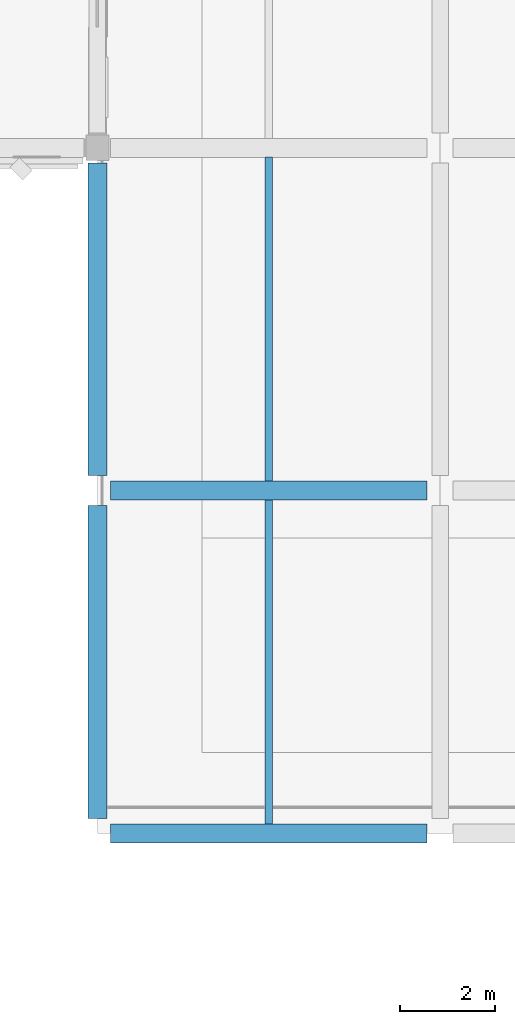
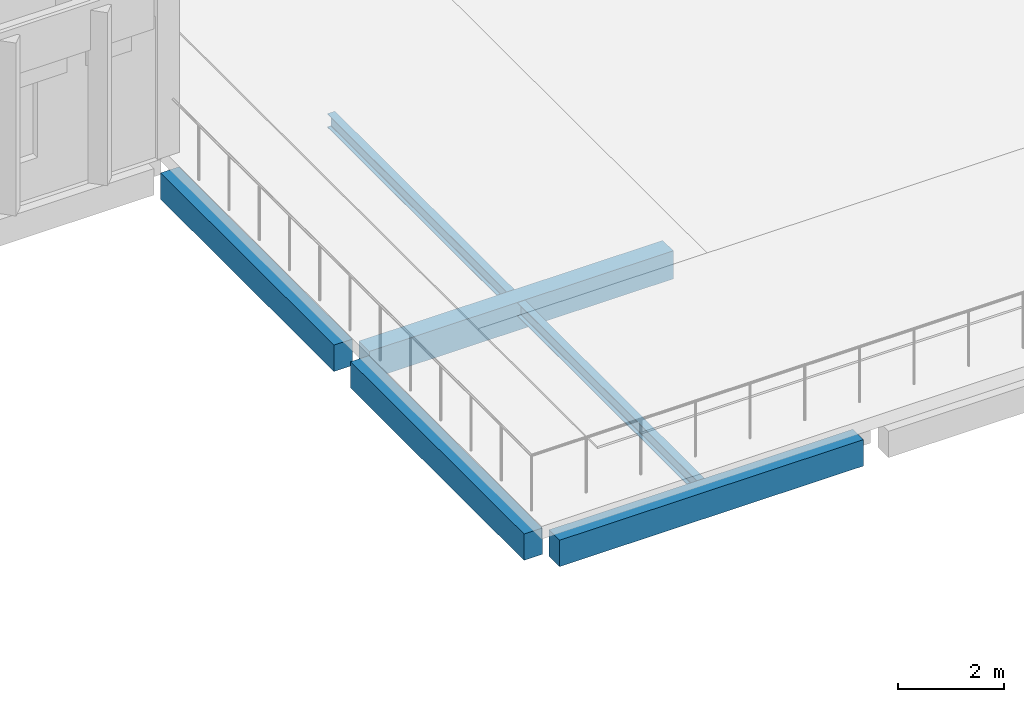
# One storey, part 31 of 72: 6 beams.
"""IFC4 building model written with IfcOpenShell, lengths in metres."""

import ifcopenshell
import ifcopenshell.guid

model = None  # the IFC model being written
_history = None  # IfcOwnerHistory: only IFC2X3 demands one
_inside = {}  # id of a spatial element -> (the spatial element, [elements in it])
_under = {}  # id of a project, library or spatial element -> (it, [spatial elements below it])
_declared = {}  # id of a project -> (the project, [libraries it declares])
_typed = {}  # id of a type object -> (the type object, [elements of that type])
_made_of = {}  # id of a material, layer set ... -> (it, [elements and type objects made of it])


def new_model(schema):
    """Start an empty IFC model of exactly this schema.

    Asked for "IFC4X3", IfcOpenShell would pick the latest addendum, in which some entities
    have other attributes; the version numbers below select the first issue.
    IFC2X3 requires an IfcOwnerHistory on every rooted entity: one is made here for all.
    """
    global model, _history
    if schema == "IFC4X3":
        model = ifcopenshell.file(schema_version=(4, 3, 0, 0))
    else:
        model = ifcopenshell.file(schema=schema)
    _inside.clear()
    _under.clear()
    _declared.clear()
    _typed.clear()
    _made_of.clear()
    _history = None
    if model.schema == "IFC2X3":
        org = make("IfcOrganization", Name="unknown")
        user = make(
            "IfcPersonAndOrganization",
            ThePerson=make("IfcPerson", FamilyName="unknown"),
            TheOrganization=org,
        )
        app = make(
            "IfcApplication",
            ApplicationDeveloper=org,
            Version="unknown",
            ApplicationFullName="unknown",
            ApplicationIdentifier="unknown",
        )
        _history = make(
            "IfcOwnerHistory",
            OwningUser=user,
            OwningApplication=app,
            ChangeAction="ADDED",
            CreationDate=0,
        )
    return model


def make(cls, **values):
    """One entity of the class cls with the attributes given. An attribute that is None is left unset."""
    return model.create_entity(
        cls, **{name: value for name, value in values.items() if value is not None}
    )


def rooted(cls, **values):
    """An entity with a GlobalId (a new one), such as an element, a storey or a relation."""
    return make(cls, GlobalId=ifcopenshell.guid.new(), OwnerHistory=_history, **values)


def si_unit(unit_type, name, prefix=None):
    """IfcSIUnit, for example si_unit("LENGTHUNIT", "METRE", prefix="MILLI")."""
    return make("IfcSIUnit", UnitType=unit_type, Prefix=prefix, Name=name)


def assignment(units):
    """IfcUnitAssignment: the units of a project."""
    return None if units is None else make("IfcUnitAssignment", Units=units)


def point(xyz):
    """IfcCartesianPoint."""
    return None if xyz is None else make("IfcCartesianPoint", Coordinates=xyz)


def direction(xyz):
    """IfcDirection."""
    return None if xyz is None else make("IfcDirection", DirectionRatios=xyz)


def frame(location, z_axis=None, x_axis=None):
    """IfcAxis2Placement3D, a coordinate frame: its origin and axes. An axis left out is left unset."""
    return make(
        "IfcAxis2Placement3D",
        Location=point(location),
        Axis=direction(z_axis),
        RefDirection=direction(x_axis),
    )


def frame_2d(location, x_axis=None):
    """IfcAxis2Placement2D, a coordinate frame in the plane: its origin and x axis."""
    return make(
        "IfcAxis2Placement2D", Location=point(location), RefDirection=direction(x_axis)
    )


def origin():
    """The frame at (0, 0, 0) with its axes left unset."""
    return frame((0.0, 0.0, 0.0))


def origin_2d():
    """The frame at (0, 0) in the plane with its x axis left unset."""
    return frame_2d((0.0, 0.0))


def place(relative_to, where):
    """IfcLocalPlacement: puts the frame where relative to a parent placement (None: the world)."""
    return make(
        "IfcLocalPlacement", PlacementRelTo=relative_to, RelativePlacement=where
    )


def context(
    kind, dimensions, precision=None, world=None, true_north=None, identifier=None
):
    """IfcGeometricRepresentationContext, for example the 3D "Model" context."""
    return make(
        "IfcGeometricRepresentationContext",
        ContextIdentifier=identifier,
        ContextType=kind,
        CoordinateSpaceDimension=dimensions,
        Precision=precision,
        WorldCoordinateSystem=world,
        TrueNorth=true_north,
    )


def subcontext(parent, identifier, kind, view, scale=None):
    """IfcGeometricRepresentationSubContext, for example "Body" below "Model"."""
    return make(
        "IfcGeometricRepresentationSubContext",
        ContextIdentifier=identifier,
        ContextType=kind,
        ParentContext=parent,
        TargetScale=scale,
        TargetView=view,
    )


def project(units=None, contexts=None):
    """IfcProject with its units and contexts."""
    return rooted(
        "IfcProject",
        Name="project",
        RepresentationContexts=contexts,
        UnitsInContext=assignment(units),
    )


def spatial(cls, under=None, at=None, **own):
    """A site, building, storey or space (cls), placed at a placement, below another one or the project."""
    s = rooted(cls, ObjectPlacement=at, **own)
    if under is not None:
        _under.setdefault(under.id(), (under, []))[1].append(s)
    return s


def profile(cls, at=None, kind="AREA", **sizes):
    """A parametric profile (cls). Its sizes go by their IFC names, for example OverallWidth=200.0."""
    return make(cls, ProfileType=kind, Position=at, **sizes)


def rectangle(**sizes):
    """IfcRectangleProfileDef."""
    return profile("IfcRectangleProfileDef", **sizes)


def i_section(**sizes):
    """IfcIShapeProfileDef."""
    return profile("IfcIShapeProfileDef", **sizes)


def extrude(swept, where, along, depth):
    """IfcExtrudedAreaSolid: the profile swept, set in the frame where, extruded along a direction by depth."""
    return make(
        "IfcExtrudedAreaSolid",
        SweptArea=swept,
        Position=where,
        ExtrudedDirection=direction(along),
        Depth=depth,
    )


def shape(context_of_items, identifier, shape_type, items):
    """IfcShapeRepresentation: the items that make up one representation, for example the "Body"."""
    return make(
        "IfcShapeRepresentation",
        ContextOfItems=context_of_items,
        RepresentationIdentifier=identifier,
        RepresentationType=shape_type,
        Items=items,
    )


def material(Name=None, Category=None):
    """IfcMaterial."""
    return make("IfcMaterial", Name=Name, Category=Category)


def material_profile(
    of_material, cross_section, Name=None, Category=None, Priority=None
):
    """IfcMaterialProfile: a cross section and its material."""
    return make(
        "IfcMaterialProfile",
        Name=Name,
        Material=of_material,
        Profile=cross_section,
        Priority=Priority,
        Category=Category,
    )


def profile_set(profiles, Name=None, composite=None):
    """IfcMaterialProfileSet."""
    return make(
        "IfcMaterialProfileSet",
        Name=Name,
        MaterialProfiles=profiles,
        CompositeProfile=composite,
    )


def made_of(thing, what):
    """Note that an element or type object is made of a material, layer set ...; save() writes the relation."""
    if what is not None:
        _made_of.setdefault(what.id(), (what, []))[1].append(thing)
    return thing


def type_object(cls, material=None, **own):
    """A type object (cls), such as IfcWallType, which elements share."""
    return made_of(rooted(cls, **own), material)


def element(
    cls,
    number,
    at=None,
    inside=None,
    cuts=None,
    type_object=None,
    material=None,
    context=None,
    identifier="Body",
    shape_type=None,
    held_by="IfcProductDefinitionShape",
    body=None,
    shapes=None,
    **own,
):
    """One element of the class cls, such as IfcWall. Its Tag is "e" and its number.

    at: its placement. inside: the storey or other place that contains it. cuts: it is an
    opening in that element (IfcRelVoidsElement). A single representation is given by context,
    identifier, shape_type and body (its items); several are given by shapes. held_by: the class
    of the entity that holds the representations. save() writes the other relations.
    """
    e = rooted(cls, Tag="e%d" % number, ObjectPlacement=at, **own)
    if body is not None:
        shapes = [shape(context, identifier, shape_type, body)]
    if shapes is not None:
        e.Representation = make(held_by, Representations=shapes)
    if inside is not None:
        _inside.setdefault(inside.id(), (inside, []))[1].append(e)
    if cuts is not None:
        rooted(
            "IfcRelVoidsElement", RelatingBuildingElement=cuts, RelatedOpeningElement=e
        )
    if type_object is not None:
        _typed.setdefault(type_object.id(), (type_object, []))[1].append(e)
    return made_of(e, material)


def aggregate(whole, parts):
    """IfcRelAggregates: a whole, such as a stair, and the parts it consists of."""
    return rooted("IfcRelAggregates", RelatingObject=whole, RelatedObjects=parts)


def save(model, path):
    """Write the relations noted so far, then the file.

    IfcRelAggregates (storeys below a building ...), IfcRelContainedInSpatialStructure (elements
    in a storey), IfcRelDefinesByType, IfcRelAssociatesMaterial and IfcRelDeclares: one each for
    every whole, place, type object, material and project.
    """
    for whole, parts in _under.values():
        aggregate(whole, parts)
    for where, things in _inside.values():
        rooted(
            "IfcRelContainedInSpatialStructure",
            RelatedElements=things,
            RelatingStructure=where,
        )
    for kind, things in _typed.values():
        rooted("IfcRelDefinesByType", RelatedObjects=things, RelatingType=kind)
    for what, things in _made_of.values():
        rooted("IfcRelAssociatesMaterial", RelatedObjects=things, RelatingMaterial=what)
    for by, libraries in _declared.values():
        rooted("IfcRelDeclares", RelatingContext=by, RelatedDefinitions=libraries)
    model.write(path)


model = new_model("IFC4")

# Units and contexts
model_context = context("Model", 3, precision=1e-05, world=origin(), true_north=direction((0.0, 1.0)))
body_context = subcontext(model_context, "Body", "Model", "MODEL_VIEW")
ifc_project = project(units=[si_unit("LENGTHUNIT", "METRE"), si_unit("AREAUNIT", "SQUARE_METRE"), si_unit("VOLUMEUNIT", "CUBIC_METRE"), si_unit("PLANEANGLEUNIT", "RADIAN"), si_unit("MASSUNIT", "GRAM", prefix="KILO")], contexts=[model_context])

# Site, building, storey
site_placement = place(None, origin())
site = spatial("IfcSite", under=ifc_project, at=site_placement, CompositionType="ELEMENT")
building_placement = place(site_placement, origin())
building = spatial("IfcBuilding", under=site, at=building_placement, Name="Lusvemor Sports Hall", CompositionType="ELEMENT")
storey_placement = place(building_placement, frame((0.0, 0.0, 15.0)))
storey = spatial("IfcBuildingStorey", under=building, at=storey_placement, Name="L03", CompositionType="ELEMENT", Elevation=15.0)

# Beams
ifc_material_1 = material(Name="Concrete C40/50", Category="concrete")
ifc_material_profile_1 = material_profile(ifc_material_1, rectangle(XDim=0.39990234375, YDim=0.64990234375, at=origin_2d()), Name="RC400x650")
ifc_profile_set_1 = profile_set([ifc_material_profile_1], Name="Concrete C40/50")
beam_type_1 = type_object("IfcBeamType", Name="BEAM_RC_650", PredefinedType="BEAM", material=ifc_profile_set_1)
beam_1_placement = place(storey_placement, frame((119.075927734375, 90.0, -0.6201171875), z_axis=(1.0, 0.0, 0.0), x_axis=(0.0, 1.0, 0.0)))
element("IfcBeam", 1, at=beam_1_placement, inside=storey, type_object=beam_type_1, Name="Beam L03 M:13-14", PredefinedType="BEAM", context=body_context, shape_type="SweptSolid", body=[
    extrude(rectangle(XDim=0.39990234375, YDim=0.64990234375, at=origin_2d()), origin(), (0.0, 0.0, 1.0), 6.648193359375),
])
ifc_material_2 = material(Name="Steel S355", Category="steel")
ifc_material_profile_2 = material_profile(ifc_material_2, i_section(OverallWidth=0.1669921875, OverallDepth=0.31689453125, WebThickness=0.007568359375, FlangeThickness=0.01318359375, FilletRadius=0.014892578125, at=origin_2d()), Name="W310x52.0")
ifc_profile_set_2 = profile_set([ifc_material_profile_2], Name="Steel S355")
beam_type_2 = type_object("IfcBeamType", Name="JOIST_ST_310M", PredefinedType="JOIST", material=ifc_profile_set_2)
for number, where, z_axis, x_axis, name in (
    (2, (122.39990234375, 82.99609375, -0.45751953125), (0.0, 1.0, 0.0), (-1.0, 0.0, 0.0), "Secondary Joist L03 13-14/L-M #1"),
    (3, (122.39990234375, 90.196044921875, -0.45751953125), (0.0, 1.0, 0.0), (-1.0, 0.0, 0.0), "Secondary Joist L03 13-14/M-N #1"),
):
    element("IfcBeam", number, at=place(storey_placement, frame(where, z_axis=z_axis, x_axis=x_axis)), inside=storey, type_object=beam_type_2, Name=name, PredefinedType="JOIST", context=body_context, shape_type="SweptSolid", body=[
        extrude(i_section(OverallWidth=0.1669921875, OverallDepth=0.31689453125, WebThickness=0.007568359375, FlangeThickness=0.01318359375, FilletRadius=0.014892578125, at=origin_2d()), origin(), (0.0, 0.0, 1.0), 6.807861328125),
    ])
ifc_material_3 = material(Name="Concrete C40/50", Category="concrete")
ifc_material_profile_3 = material_profile(ifc_material_3, rectangle(XDim=0.39990234375, YDim=0.610107421875, at=origin_2d()), Name="RC400x610")
ifc_profile_set_3 = profile_set([ifc_material_profile_3], Name="Concrete C40/50")
beam_type_3 = type_object("IfcBeamType", Name="SPAND_EXT_650", PredefinedType="SPANDREL", material=ifc_profile_set_3)
beam_2_placement = place(storey_placement, frame((119.075927734375, 82.800048828125, -0.60009765625), z_axis=(1.0, 0.0, 0.0), x_axis=(0.0, 1.0, 0.0)))
element("IfcBeam", 4, at=beam_2_placement, inside=storey, type_object=beam_type_3, Name="Beam L03 L:13-14", PredefinedType="SPANDREL", context=body_context, shape_type="SweptSolid", body=[
    extrude(rectangle(XDim=0.39990234375, YDim=0.610107421875, at=origin_2d()), origin(), (0.0, 0.0, 1.0), 6.648193359375),
])
for number, where, z_axis, x_axis, name in (
    (5, (118.800048828125, 83.115966796875, -0.60009765625), (0.0, 1.0, 0.0), (-1.0, 0.0, 0.0), "Beam L03 13:L-M"),
    (6, (118.800048828125, 90.31591796875, -0.60009765625), (0.0, 1.0, 0.0), (-1.0, 0.0, 0.0), "Beam L03 13:M-N"),
):
    element("IfcBeam", number, at=place(storey_placement, frame(where, z_axis=z_axis, x_axis=x_axis)), inside=storey, type_object=beam_type_3, Name=name, PredefinedType="SPANDREL", context=body_context, shape_type="SweptSolid", body=[
        extrude(rectangle(XDim=0.39990234375, YDim=0.610107421875, at=origin_2d()), origin(), (0.0, 0.0, 1.0), 6.568115234375),
    ])

save(model, "model.ifc")
